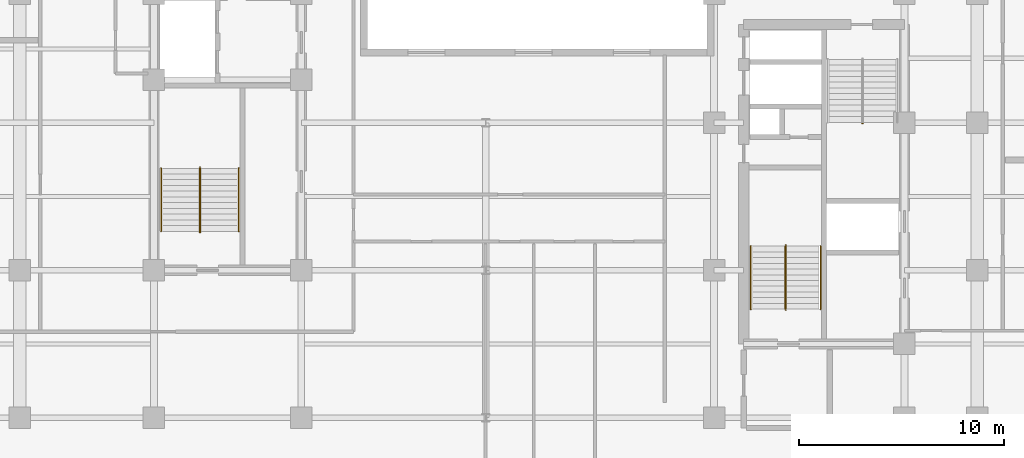
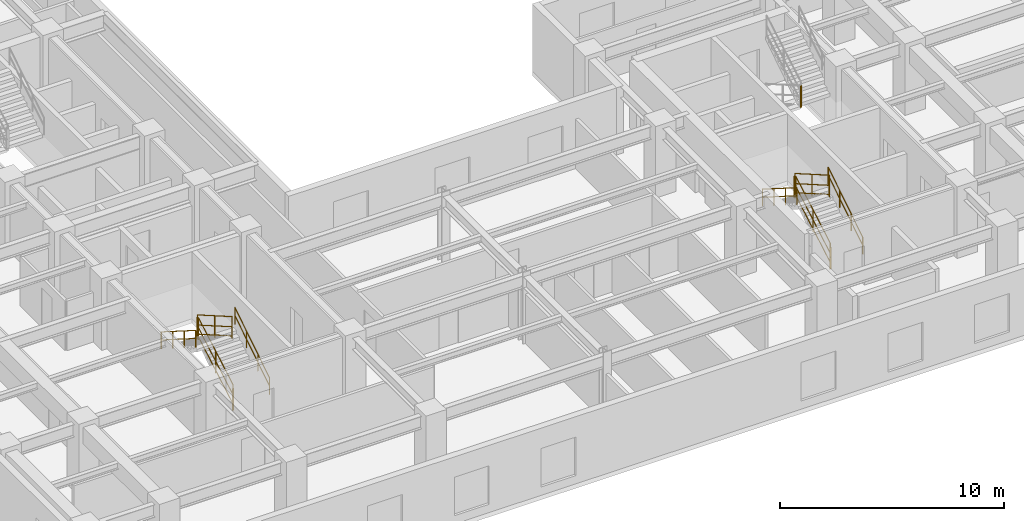
# One storey, part 7 of 9: 13 railings.
"""IFC4 building model written with IfcOpenShell, lengths in metres."""

import ifcopenshell
import ifcopenshell.guid

model = None  # the IFC model being written
_history = None  # IfcOwnerHistory: only IFC2X3 demands one
_inside = {}  # id of a spatial element -> (the spatial element, [elements in it])
_under = {}  # id of a project, library or spatial element -> (it, [spatial elements below it])
_declared = {}  # id of a project -> (the project, [libraries it declares])
_typed = {}  # id of a type object -> (the type object, [elements of that type])
_made_of = {}  # id of a material, layer set ... -> (it, [elements and type objects made of it])


def new_model(schema):
    """Start an empty IFC model of exactly this schema.

    Asked for "IFC4X3", IfcOpenShell would pick the latest addendum, in which some entities
    have other attributes; the version numbers below select the first issue.
    IFC2X3 requires an IfcOwnerHistory on every rooted entity: one is made here for all.
    """
    global model, _history
    if schema == "IFC4X3":
        model = ifcopenshell.file(schema_version=(4, 3, 0, 0))
    else:
        model = ifcopenshell.file(schema=schema)
    _inside.clear()
    _under.clear()
    _declared.clear()
    _typed.clear()
    _made_of.clear()
    _history = None
    if model.schema == "IFC2X3":
        org = make("IfcOrganization", Name="unknown")
        user = make(
            "IfcPersonAndOrganization",
            ThePerson=make("IfcPerson", FamilyName="unknown"),
            TheOrganization=org,
        )
        app = make(
            "IfcApplication",
            ApplicationDeveloper=org,
            Version="unknown",
            ApplicationFullName="unknown",
            ApplicationIdentifier="unknown",
        )
        _history = make(
            "IfcOwnerHistory",
            OwningUser=user,
            OwningApplication=app,
            ChangeAction="ADDED",
            CreationDate=0,
        )
    return model


def make(cls, **values):
    """One entity of the class cls with the attributes given. An attribute that is None is left unset."""
    return model.create_entity(
        cls, **{name: value for name, value in values.items() if value is not None}
    )


def entity(cls, *values):
    """Any entity or typed value of the class cls, its attributes in the order of the schema. None: left unset."""
    e = model.create_entity(cls)
    for i, value in enumerate(values):
        if value is not None:
            e[i] = value
    return e


def rooted(cls, **values):
    """An entity with a GlobalId (a new one), such as an element, a storey or a relation."""
    return make(cls, GlobalId=ifcopenshell.guid.new(), OwnerHistory=_history, **values)


def si_unit(unit_type, name, prefix=None):
    """IfcSIUnit, for example si_unit("LENGTHUNIT", "METRE", prefix="MILLI")."""
    return make("IfcSIUnit", UnitType=unit_type, Prefix=prefix, Name=name)


def converted_unit(unit_type, name, factor, base, dimensions=None, offset=None):
    """IfcConversionBasedUnit, such as the inch: factor (a typed value) times the base unit."""
    return make(
        "IfcConversionBasedUnit"
        if offset is None
        else "IfcConversionBasedUnitWithOffset",
        ConversionOffset=offset,
        Dimensions=None
        if dimensions is None
        else entity("IfcDimensionalExponents", *dimensions),
        UnitType=unit_type,
        Name=name,
        ConversionFactor=make(
            "IfcMeasureWithUnit", ValueComponent=factor, UnitComponent=base
        ),
    )


def assignment(units):
    """IfcUnitAssignment: the units of a project."""
    return None if units is None else make("IfcUnitAssignment", Units=units)


def point(xyz):
    """IfcCartesianPoint."""
    return None if xyz is None else make("IfcCartesianPoint", Coordinates=xyz)


def direction(xyz):
    """IfcDirection."""
    return None if xyz is None else make("IfcDirection", DirectionRatios=xyz)


def frame(location, z_axis=None, x_axis=None):
    """IfcAxis2Placement3D, a coordinate frame: its origin and axes. An axis left out is left unset."""
    return make(
        "IfcAxis2Placement3D",
        Location=point(location),
        Axis=direction(z_axis),
        RefDirection=direction(x_axis),
    )


def frame_2d(location, x_axis=None):
    """IfcAxis2Placement2D, a coordinate frame in the plane: its origin and x axis."""
    return make(
        "IfcAxis2Placement2D", Location=point(location), RefDirection=direction(x_axis)
    )


def origin_with_axes():
    """The frame at (0, 0, 0) with the z axis (0, 0, 1) and the x axis (1, 0, 0) written out."""
    return frame((0.0, 0.0, 0.0), z_axis=(0.0, 0.0, 1.0), x_axis=(1.0, 0.0, 0.0))


def origin_2d_with_axis():
    """The frame at (0, 0) in the plane with the x axis (1, 0) written out."""
    return frame_2d((0.0, 0.0), x_axis=(1.0, 0.0))


def place(relative_to, where):
    """IfcLocalPlacement: puts the frame where relative to a parent placement (None: the world)."""
    return make(
        "IfcLocalPlacement", PlacementRelTo=relative_to, RelativePlacement=where
    )


def context(
    kind, dimensions, precision=None, world=None, true_north=None, identifier=None
):
    """IfcGeometricRepresentationContext, for example the 3D "Model" context."""
    return make(
        "IfcGeometricRepresentationContext",
        ContextIdentifier=identifier,
        ContextType=kind,
        CoordinateSpaceDimension=dimensions,
        Precision=precision,
        WorldCoordinateSystem=world,
        TrueNorth=true_north,
    )


def subcontext(parent, identifier, kind, view, scale=None):
    """IfcGeometricRepresentationSubContext, for example "Body" below "Model"."""
    return make(
        "IfcGeometricRepresentationSubContext",
        ContextIdentifier=identifier,
        ContextType=kind,
        ParentContext=parent,
        TargetScale=scale,
        TargetView=view,
    )


def project(units=None, contexts=None):
    """IfcProject with its units and contexts."""
    return rooted(
        "IfcProject",
        Name="project",
        RepresentationContexts=contexts,
        UnitsInContext=assignment(units),
    )


def spatial(cls, under=None, at=None, **own):
    """A site, building, storey or space (cls), placed at a placement, below another one or the project."""
    s = rooted(cls, ObjectPlacement=at, **own)
    if under is not None:
        _under.setdefault(under.id(), (under, []))[1].append(s)
    return s


def profile(cls, at=None, kind="AREA", **sizes):
    """A parametric profile (cls). Its sizes go by their IFC names, for example OverallWidth=200.0."""
    return make(cls, ProfileType=kind, Position=at, **sizes)


def rectangle(**sizes):
    """IfcRectangleProfileDef."""
    return profile("IfcRectangleProfileDef", **sizes)


def circle(**sizes):
    """IfcCircleProfileDef."""
    return profile("IfcCircleProfileDef", **sizes)


def extrude(swept, where, along, depth):
    """IfcExtrudedAreaSolid: the profile swept, set in the frame where, extruded along a direction by depth."""
    return make(
        "IfcExtrudedAreaSolid",
        SweptArea=swept,
        Position=where,
        ExtrudedDirection=direction(along),
        Depth=depth,
    )


def shape(context_of_items, identifier, shape_type, items):
    """IfcShapeRepresentation: the items that make up one representation, for example the "Body"."""
    return make(
        "IfcShapeRepresentation",
        ContextOfItems=context_of_items,
        RepresentationIdentifier=identifier,
        RepresentationType=shape_type,
        Items=items,
    )


def material(Name=None, Category=None):
    """IfcMaterial."""
    return make("IfcMaterial", Name=Name, Category=Category)


def made_of(thing, what):
    """Note that an element or type object is made of a material, layer set ...; save() writes the relation."""
    if what is not None:
        _made_of.setdefault(what.id(), (what, []))[1].append(thing)
    return thing


def type_object(cls, material=None, **own):
    """A type object (cls), such as IfcWallType, which elements share."""
    return made_of(rooted(cls, **own), material)


def element(
    cls,
    number,
    at=None,
    inside=None,
    cuts=None,
    type_object=None,
    material=None,
    context=None,
    identifier="Body",
    shape_type=None,
    held_by="IfcProductDefinitionShape",
    body=None,
    shapes=None,
    **own,
):
    """One element of the class cls, such as IfcWall. Its Tag is "e" and its number.

    at: its placement. inside: the storey or other place that contains it. cuts: it is an
    opening in that element (IfcRelVoidsElement). A single representation is given by context,
    identifier, shape_type and body (its items); several are given by shapes. held_by: the class
    of the entity that holds the representations. save() writes the other relations.
    """
    e = rooted(cls, Tag="e%d" % number, ObjectPlacement=at, **own)
    if body is not None:
        shapes = [shape(context, identifier, shape_type, body)]
    if shapes is not None:
        e.Representation = make(held_by, Representations=shapes)
    if inside is not None:
        _inside.setdefault(inside.id(), (inside, []))[1].append(e)
    if cuts is not None:
        rooted(
            "IfcRelVoidsElement", RelatingBuildingElement=cuts, RelatedOpeningElement=e
        )
    if type_object is not None:
        _typed.setdefault(type_object.id(), (type_object, []))[1].append(e)
    return made_of(e, material)


def aggregate(whole, parts):
    """IfcRelAggregates: a whole, such as a stair, and the parts it consists of."""
    return rooted("IfcRelAggregates", RelatingObject=whole, RelatedObjects=parts)


def save(model, path):
    """Write the relations noted so far, then the file.

    IfcRelAggregates (storeys below a building ...), IfcRelContainedInSpatialStructure (elements
    in a storey), IfcRelDefinesByType, IfcRelAssociatesMaterial and IfcRelDeclares: one each for
    every whole, place, type object, material and project.
    """
    for whole, parts in _under.values():
        aggregate(whole, parts)
    for where, things in _inside.values():
        rooted(
            "IfcRelContainedInSpatialStructure",
            RelatedElements=things,
            RelatingStructure=where,
        )
    for kind, things in _typed.values():
        rooted("IfcRelDefinesByType", RelatedObjects=things, RelatingType=kind)
    for what, things in _made_of.values():
        rooted("IfcRelAssociatesMaterial", RelatedObjects=things, RelatingMaterial=what)
    for by, libraries in _declared.values():
        rooted("IfcRelDeclares", RelatingContext=by, RelatedDefinitions=libraries)
    model.write(path)


model = new_model("IFC4")

# Units and contexts
model_context = context("Model", 3, precision=1e-05, world=origin_with_axes(), true_north=direction((0.0, 1.0)))
body_context = subcontext(model_context, "Body", "Model", "MODEL_VIEW")
ifc_project = project(units=[si_unit("LENGTHUNIT", "METRE"), si_unit("AREAUNIT", "SQUARE_METRE"), si_unit("VOLUMEUNIT", "CUBIC_METRE"), converted_unit("PLANEANGLEUNIT", "DEGREE", entity("IfcPlaneAngleMeasure", 0.017453292519943295), si_unit("PLANEANGLEUNIT", "RADIAN"), dimensions=[0, 0, 0, 0, 0, 0, 0]), si_unit("MASSUNIT", "GRAM", prefix="KILO"), si_unit("THERMODYNAMICTEMPERATUREUNIT", "KELVIN")], contexts=[model_context])

# Site, building, storey
site_placement = place(None, origin_with_axes())
site = spatial("IfcSite", under=ifc_project, at=site_placement, CompositionType="ELEMENT")
building_placement = place(site_placement, origin_with_axes())
building = spatial("IfcBuilding", under=site, at=building_placement, Name="Varnlund Millrace Tower", CompositionType="ELEMENT")
storey_placement = place(building_placement, frame((0.0, 0.0, 136.8), z_axis=(0.0, 0.0, 1.0), x_axis=(1.0, 0.0, 0.0)))
storey = spatial("IfcBuildingStorey", under=building, at=storey_placement, Name="L33", CompositionType="ELEMENT", Elevation=136.8)

# Railings
ifc_material_1 = material(Name="Painted steel stair well balustrade guard", Category="steel")
railing_type_1 = type_object("IfcRailingType", Name="Type-StairGuard-1150", PredefinedType="GUARDRAIL", material=ifc_material_1)
railing_1_placement = place(storey_placement, frame((0.0, 0.0, -136.8), z_axis=(0.0, 0.0, 1.0), x_axis=(1.0, 0.0, 0.0)))
element("IfcRailing", 1, at=railing_1_placement, inside=storey, type_object=railing_type_1, Name="Type-StairGuard-1150", PredefinedType="GUARDRAIL", context=body_context, shape_type="SweptSolid", body=[
    extrude(circle(Radius=0.024, at=origin_2d_with_axis()), frame((13.675, 12.7, 138.127273), z_axis=(0.0, 0.866696, 0.498836), x_axis=(-1.0, 0.0, 0.0)), (0.0, 0.0, 1.0), 3.553725),
    extrude(circle(Radius=0.024, at=origin_2d_with_axis()), frame((13.675, 12.7, 137.077273), z_axis=(0.0, 0.866696, 0.498836), x_axis=(-1.0, 0.0, 0.0)), (0.0, 0.0, 1.0), 3.553725),
    extrude(circle(Radius=0.024, at=origin_2d_with_axis()), frame((13.675, 12.7, 137.575273), z_axis=(0.0, 0.866696, 0.498836), x_axis=(-1.0, 0.0, 0.0)), (0.0, 0.0, 1.0), 3.553725),
    extrude(rectangle(XDim=0.04, YDim=0.04, at=origin_2d_with_axis()), frame((13.675, 12.7, 136.937273), z_axis=(0.0, 0.0, 1.0), x_axis=(1.0, 0.0, 0.0)), (0.0, 0.0, 1.0), 1.19),
    extrude(rectangle(XDim=0.04, YDim=0.04, at=origin_2d_with_axis()), frame((13.675, 14.24, 137.823636), z_axis=(0.0, 0.0, 1.0), x_axis=(1.0, 0.0, 0.0)), (0.0, 0.0, 1.0), 1.19),
    extrude(rectangle(XDim=0.04, YDim=0.04, at=origin_2d_with_axis()), frame((13.675, 15.78, 138.71), z_axis=(0.0, 0.0, 1.0), x_axis=(1.0, 0.0, 0.0)), (0.0, 0.0, 1.0), 1.19),
])
railing_2_placement = place(storey_placement, frame((0.0, 0.0, -136.8), z_axis=(0.0, 0.0, 1.0), x_axis=(1.0, 0.0, 0.0)))
element("IfcRailing", 2, at=railing_2_placement, inside=storey, type_object=railing_type_1, Name="Type-StairGuard-1150", PredefinedType="GUARDRAIL", context=body_context, shape_type="SweptSolid", body=[
    extrude(circle(Radius=0.024, at=origin_2d_with_axis()), frame((13.625, 15.83, 139.9), z_axis=(1.0, 0.0, 0.0), x_axis=(0.0, 1.0, 0.0)), (0.0, 0.0, 1.0), 0.05),
    extrude(circle(Radius=0.024, at=origin_2d_with_axis()), frame((13.625, 15.83, 138.85), z_axis=(1.0, 0.0, 0.0), x_axis=(0.0, 1.0, 0.0)), (0.0, 0.0, 1.0), 0.05),
    extrude(circle(Radius=0.024, at=origin_2d_with_axis()), frame((13.625, 15.83, 139.348), z_axis=(1.0, 0.0, 0.0), x_axis=(0.0, 1.0, 0.0)), (0.0, 0.0, 1.0), 0.05),
    extrude(rectangle(XDim=0.04, YDim=0.04, at=origin_2d_with_axis()), frame((13.625, 15.83, 138.71), z_axis=(0.0, 0.0, 1.0), x_axis=(1.0, 0.0, 0.0)), (0.0, 0.0, 1.0), 1.19),
    extrude(rectangle(XDim=0.04, YDim=0.04, at=origin_2d_with_axis()), frame((13.675, 15.83, 138.71), z_axis=(0.0, 0.0, 1.0), x_axis=(1.0, 0.0, 0.0)), (0.0, 0.0, 1.0), 1.19),
])
railing_3_placement = place(storey_placement, frame((0.0, 0.0, -136.8), z_axis=(0.0, 0.0, 1.0), x_axis=(1.0, 0.0, 0.0)))
element("IfcRailing", 3, at=railing_3_placement, inside=storey, type_object=railing_type_1, Name="Type-StairGuard-1150", PredefinedType="GUARDRAIL", context=body_context, shape_type="SweptSolid", body=[
    extrude(circle(Radius=0.024, at=origin_2d_with_axis()), frame((13.625, 15.78, 140.077273), z_axis=(0.0, -0.866696, 0.498836), x_axis=(1.0, 0.0, 0.0)), (0.0, 0.0, 1.0), 3.553725),
    extrude(circle(Radius=0.024, at=origin_2d_with_axis()), frame((13.625, 15.78, 139.027273), z_axis=(0.0, -0.866696, 0.498836), x_axis=(1.0, 0.0, 0.0)), (0.0, 0.0, 1.0), 3.553725),
    extrude(circle(Radius=0.024, at=origin_2d_with_axis()), frame((13.625, 15.78, 139.525273), z_axis=(0.0, -0.866696, 0.498836), x_axis=(1.0, 0.0, 0.0)), (0.0, 0.0, 1.0), 3.553725),
    extrude(rectangle(XDim=0.04, YDim=0.04, at=origin_2d_with_axis()), frame((13.625, 15.78, 138.887273), z_axis=(0.0, 0.0, 1.0), x_axis=(1.0, 0.0, 0.0)), (0.0, 0.0, 1.0), 1.19),
    extrude(rectangle(XDim=0.04, YDim=0.04, at=origin_2d_with_axis()), frame((13.625, 14.24, 139.773637), z_axis=(0.0, 0.0, 1.0), x_axis=(1.0, 0.0, 0.0)), (0.0, 0.0, 1.0), 1.19),
    extrude(rectangle(XDim=0.04, YDim=0.04, at=origin_2d_with_axis()), frame((13.625, 12.7, 140.66), z_axis=(0.0, 0.0, 1.0), x_axis=(1.0, 0.0, 0.0)), (0.0, 0.0, 1.0), 1.19),
])
railing_4_placement = place(storey_placement, frame((0.0, 0.0, -136.8), z_axis=(0.0, 0.0, 1.0), x_axis=(1.0, 0.0, 0.0)))
element("IfcRailing", 4, at=railing_4_placement, inside=storey, type_object=railing_type_1, Name="Type-StairGuard-1150", PredefinedType="GUARDRAIL", context=body_context, shape_type="SweptSolid", body=[
    extrude(circle(Radius=0.024, at=origin_2d_with_axis()), frame((13.625, 12.65, 137.95), z_axis=(1.0, 0.0, 0.0), x_axis=(0.0, 1.0, 0.0)), (0.0, 0.0, 1.0), 0.05),
    extrude(circle(Radius=0.024, at=origin_2d_with_axis()), frame((13.625, 12.65, 136.9), z_axis=(1.0, 0.0, 0.0), x_axis=(0.0, 1.0, 0.0)), (0.0, 0.0, 1.0), 0.05),
    extrude(circle(Radius=0.024, at=origin_2d_with_axis()), frame((13.625, 12.65, 137.398), z_axis=(1.0, 0.0, 0.0), x_axis=(0.0, 1.0, 0.0)), (0.0, 0.0, 1.0), 0.05),
    extrude(rectangle(XDim=0.04, YDim=0.04, at=origin_2d_with_axis()), frame((13.625, 12.65, 136.76), z_axis=(0.0, 0.0, 1.0), x_axis=(1.0, 0.0, 0.0)), (0.0, 0.0, 1.0), 1.19),
    extrude(rectangle(XDim=0.04, YDim=0.04, at=origin_2d_with_axis()), frame((13.675, 12.65, 136.76), z_axis=(0.0, 0.0, 1.0), x_axis=(1.0, 0.0, 0.0)), (0.0, 0.0, 1.0), 1.19),
])
railing_5_placement = place(storey_placement, frame((0.0, 0.0, -136.8), z_axis=(0.0, 0.0, 1.0), x_axis=(1.0, 0.0, 0.0)))
element("IfcRailing", 5, at=railing_5_placement, inside=storey, type_object=railing_type_1, Name="Type-StairGuard-1150", PredefinedType="GUARDRAIL", context=body_context, shape_type="SweptSolid", body=[
    extrude(circle(Radius=0.024, at=origin_2d_with_axis()), frame((42.275, 8.9, 138.127273), z_axis=(0.0, 0.866696, 0.498836), x_axis=(-1.0, 0.0, 0.0)), (0.0, 0.0, 1.0), 3.553725),
    extrude(circle(Radius=0.024, at=origin_2d_with_axis()), frame((42.275, 8.9, 137.077273), z_axis=(0.0, 0.866696, 0.498836), x_axis=(-1.0, 0.0, 0.0)), (0.0, 0.0, 1.0), 3.553725),
    extrude(circle(Radius=0.024, at=origin_2d_with_axis()), frame((42.275, 8.9, 137.575273), z_axis=(0.0, 0.866696, 0.498836), x_axis=(-1.0, 0.0, 0.0)), (0.0, 0.0, 1.0), 3.553725),
    extrude(rectangle(XDim=0.04, YDim=0.04, at=origin_2d_with_axis()), frame((42.275, 8.9, 136.937273), z_axis=(0.0, 0.0, 1.0), x_axis=(1.0, 0.0, 0.0)), (0.0, 0.0, 1.0), 1.19),
    extrude(rectangle(XDim=0.04, YDim=0.04, at=origin_2d_with_axis()), frame((42.275, 10.44, 137.823636), z_axis=(0.0, 0.0, 1.0), x_axis=(1.0, 0.0, 0.0)), (0.0, 0.0, 1.0), 1.19),
    extrude(rectangle(XDim=0.04, YDim=0.04, at=origin_2d_with_axis()), frame((42.275, 11.98, 138.71), z_axis=(0.0, 0.0, 1.0), x_axis=(1.0, 0.0, 0.0)), (0.0, 0.0, 1.0), 1.19),
])
railing_6_placement = place(storey_placement, frame((0.0, 0.0, -136.8), z_axis=(0.0, 0.0, 1.0), x_axis=(1.0, 0.0, 0.0)))
element("IfcRailing", 6, at=railing_6_placement, inside=storey, type_object=railing_type_1, Name="Type-StairGuard-1150", PredefinedType="GUARDRAIL", context=body_context, shape_type="SweptSolid", body=[
    extrude(circle(Radius=0.024, at=origin_2d_with_axis()), frame((42.225, 12.03, 139.9), z_axis=(1.0, 0.0, 0.0), x_axis=(0.0, 1.0, 0.0)), (0.0, 0.0, 1.0), 0.05),
    extrude(circle(Radius=0.024, at=origin_2d_with_axis()), frame((42.225, 12.03, 138.85), z_axis=(1.0, 0.0, 0.0), x_axis=(0.0, 1.0, 0.0)), (0.0, 0.0, 1.0), 0.05),
    extrude(circle(Radius=0.024, at=origin_2d_with_axis()), frame((42.225, 12.03, 139.348), z_axis=(1.0, 0.0, 0.0), x_axis=(0.0, 1.0, 0.0)), (0.0, 0.0, 1.0), 0.05),
    extrude(rectangle(XDim=0.04, YDim=0.04, at=origin_2d_with_axis()), frame((42.225, 12.03, 138.71), z_axis=(0.0, 0.0, 1.0), x_axis=(1.0, 0.0, 0.0)), (0.0, 0.0, 1.0), 1.19),
    extrude(rectangle(XDim=0.04, YDim=0.04, at=origin_2d_with_axis()), frame((42.275, 12.03, 138.71), z_axis=(0.0, 0.0, 1.0), x_axis=(1.0, 0.0, 0.0)), (0.0, 0.0, 1.0), 1.19),
])
railing_7_placement = place(storey_placement, frame((0.0, 0.0, -136.8), z_axis=(0.0, 0.0, 1.0), x_axis=(1.0, 0.0, 0.0)))
element("IfcRailing", 7, at=railing_7_placement, inside=storey, type_object=railing_type_1, Name="Type-StairGuard-1150", PredefinedType="GUARDRAIL", context=body_context, shape_type="SweptSolid", body=[
    extrude(circle(Radius=0.024, at=origin_2d_with_axis()), frame((42.225, 11.98, 140.077273), z_axis=(0.0, -0.866696, 0.498836), x_axis=(1.0, 0.0, 0.0)), (0.0, 0.0, 1.0), 3.553725),
    extrude(circle(Radius=0.024, at=origin_2d_with_axis()), frame((42.225, 11.98, 139.027273), z_axis=(0.0, -0.866696, 0.498836), x_axis=(1.0, 0.0, 0.0)), (0.0, 0.0, 1.0), 3.553725),
    extrude(circle(Radius=0.024, at=origin_2d_with_axis()), frame((42.225, 11.98, 139.525273), z_axis=(0.0, -0.866696, 0.498836), x_axis=(1.0, 0.0, 0.0)), (0.0, 0.0, 1.0), 3.553725),
    extrude(rectangle(XDim=0.04, YDim=0.04, at=origin_2d_with_axis()), frame((42.225, 11.98, 138.887273), z_axis=(0.0, 0.0, 1.0), x_axis=(1.0, 0.0, 0.0)), (0.0, 0.0, 1.0), 1.19),
    extrude(rectangle(XDim=0.04, YDim=0.04, at=origin_2d_with_axis()), frame((42.225, 10.44, 139.773637), z_axis=(0.0, 0.0, 1.0), x_axis=(1.0, 0.0, 0.0)), (0.0, 0.0, 1.0), 1.19),
    extrude(rectangle(XDim=0.04, YDim=0.04, at=origin_2d_with_axis()), frame((42.225, 8.9, 140.66), z_axis=(0.0, 0.0, 1.0), x_axis=(1.0, 0.0, 0.0)), (0.0, 0.0, 1.0), 1.19),
])
railing_8_placement = place(storey_placement, frame((0.0, 0.0, -136.8), z_axis=(0.0, 0.0, 1.0), x_axis=(1.0, 0.0, 0.0)))
element("IfcRailing", 8, at=railing_8_placement, inside=storey, type_object=railing_type_1, Name="Type-StairGuard-1150", PredefinedType="GUARDRAIL", context=body_context, shape_type="SweptSolid", body=[
    extrude(circle(Radius=0.024, at=origin_2d_with_axis()), frame((42.225, 8.85, 137.95), z_axis=(1.0, 0.0, 0.0), x_axis=(0.0, 1.0, 0.0)), (0.0, 0.0, 1.0), 0.05),
    extrude(circle(Radius=0.024, at=origin_2d_with_axis()), frame((42.225, 8.85, 136.9), z_axis=(1.0, 0.0, 0.0), x_axis=(0.0, 1.0, 0.0)), (0.0, 0.0, 1.0), 0.05),
    extrude(circle(Radius=0.024, at=origin_2d_with_axis()), frame((42.225, 8.85, 137.398), z_axis=(1.0, 0.0, 0.0), x_axis=(0.0, 1.0, 0.0)), (0.0, 0.0, 1.0), 0.05),
    extrude(rectangle(XDim=0.04, YDim=0.04, at=origin_2d_with_axis()), frame((42.225, 8.85, 136.76), z_axis=(0.0, 0.0, 1.0), x_axis=(1.0, 0.0, 0.0)), (0.0, 0.0, 1.0), 1.19),
    extrude(rectangle(XDim=0.04, YDim=0.04, at=origin_2d_with_axis()), frame((42.275, 8.85, 136.76), z_axis=(0.0, 0.0, 1.0), x_axis=(1.0, 0.0, 0.0)), (0.0, 0.0, 1.0), 1.19),
])
railing_9_placement = place(storey_placement, frame((0.0, 0.0, -136.8), z_axis=(0.0, 0.0, 1.0), x_axis=(1.0, 0.0, 0.0)))
element("IfcRailing", 9, at=railing_9_placement, inside=storey, type_object=railing_type_1, Name="Type-StairGuard-1150", PredefinedType="GUARDRAIL", context=body_context, shape_type="SweptSolid", body=[
    extrude(circle(Radius=0.024, at=origin_2d_with_axis()), frame((46.025, 17.97, 139.9), z_axis=(-1.0, 0.0, 0.0), x_axis=(0.0, -1.0, 0.0)), (0.0, 0.0, 1.0), 0.05),
    extrude(circle(Radius=0.024, at=origin_2d_with_axis()), frame((46.025, 17.97, 138.85), z_axis=(-1.0, 0.0, 0.0), x_axis=(0.0, -1.0, 0.0)), (0.0, 0.0, 1.0), 0.05),
    extrude(circle(Radius=0.024, at=origin_2d_with_axis()), frame((46.025, 17.97, 139.348), z_axis=(-1.0, 0.0, 0.0), x_axis=(0.0, -1.0, 0.0)), (0.0, 0.0, 1.0), 0.05),
    extrude(rectangle(XDim=0.04, YDim=0.04, at=origin_2d_with_axis()), frame((46.025, 17.97, 138.71), z_axis=(0.0, 0.0, 1.0), x_axis=(1.0, 0.0, 0.0)), (0.0, 0.0, 1.0), 1.19),
    extrude(rectangle(XDim=0.04, YDim=0.04, at=origin_2d_with_axis()), frame((45.975, 17.97, 138.71), z_axis=(0.0, 0.0, 1.0), x_axis=(1.0, 0.0, 0.0)), (0.0, 0.0, 1.0), 1.19),
])
ifc_material_2 = material(Name="Brushed architectural bronze stair handrail", Category="aluminium")
railing_type_2 = type_object("IfcRailingType", Name="Type-StairHandrail-900", PredefinedType="HANDRAIL", material=ifc_material_2)
railing_10_placement = place(storey_placement, frame((0.0, 0.0, -136.8), z_axis=(0.0, 0.0, 1.0), x_axis=(1.0, 0.0, 0.0)))
element("IfcRailing", 10, at=railing_10_placement, inside=storey, type_object=railing_type_2, Name="Type-StairHandrail-900", PredefinedType="HANDRAIL", context=body_context, shape_type="SweptSolid", body=[
    extrude(circle(Radius=0.024, at=origin_2d_with_axis()), frame((15.55, 12.7, 137.856995), z_axis=(0.0, 0.844902, 0.534922), x_axis=(-1.0, 0.0, 0.0)), (0.0, 0.0, 1.0), 3.645394),
    extrude(circle(Radius=0.024, at=origin_2d_with_axis()), frame((15.55, 12.7, 137.417134), z_axis=(0.0, 0.844902, 0.534922), x_axis=(-1.0, 0.0, 0.0)), (0.0, 0.0, 1.0), 3.645394),
    extrude(rectangle(XDim=0.04, YDim=0.04, at=origin_2d_with_axis()), frame((15.55, 12.7, 136.937273), z_axis=(0.0, 0.0, 1.0), x_axis=(1.0, 0.0, 0.0)), (0.0, 0.0, 1.0), 0.919722),
    extrude(rectangle(XDim=0.04, YDim=0.04, at=origin_2d_with_axis()), frame((15.55, 13.726667, 137.587273), z_axis=(0.0, 0.0, 1.0), x_axis=(1.0, 0.0, 0.0)), (0.0, 0.0, 1.0), 0.919722),
    extrude(rectangle(XDim=0.04, YDim=0.04, at=origin_2d_with_axis()), frame((15.55, 14.753333, 138.237273), z_axis=(0.0, 0.0, 1.0), x_axis=(1.0, 0.0, 0.0)), (0.0, 0.0, 1.0), 0.919722),
    extrude(rectangle(XDim=0.04, YDim=0.04, at=origin_2d_with_axis()), frame((15.55, 15.78, 138.887273), z_axis=(0.0, 0.0, 1.0), x_axis=(1.0, 0.0, 0.0)), (0.0, 0.0, 1.0), 0.919722),
])
railing_11_placement = place(storey_placement, frame((0.0, 0.0, -136.8), z_axis=(0.0, 0.0, 1.0), x_axis=(1.0, 0.0, 0.0)))
element("IfcRailing", 11, at=railing_11_placement, inside=storey, type_object=railing_type_2, Name="Type-StairHandrail-900", PredefinedType="HANDRAIL", context=body_context, shape_type="SweptSolid", body=[
    extrude(circle(Radius=0.024, at=origin_2d_with_axis()), frame((11.75, 15.78, 139.806995), z_axis=(0.0, -0.844902, 0.534922), x_axis=(1.0, 0.0, 0.0)), (0.0, 0.0, 1.0), 3.645394),
    extrude(circle(Radius=0.024, at=origin_2d_with_axis()), frame((11.75, 15.78, 139.367134), z_axis=(0.0, -0.844902, 0.534922), x_axis=(1.0, 0.0, 0.0)), (0.0, 0.0, 1.0), 3.645394),
    extrude(rectangle(XDim=0.04, YDim=0.04, at=origin_2d_with_axis()), frame((11.75, 15.78, 138.887273), z_axis=(0.0, 0.0, 1.0), x_axis=(1.0, 0.0, 0.0)), (0.0, 0.0, 1.0), 0.919722),
    extrude(rectangle(XDim=0.04, YDim=0.04, at=origin_2d_with_axis()), frame((11.75, 14.753333, 139.537273), z_axis=(0.0, 0.0, 1.0), x_axis=(1.0, 0.0, 0.0)), (0.0, 0.0, 1.0), 0.919722),
    extrude(rectangle(XDim=0.04, YDim=0.04, at=origin_2d_with_axis()), frame((11.75, 13.726667, 140.187273), z_axis=(0.0, 0.0, 1.0), x_axis=(1.0, 0.0, 0.0)), (0.0, 0.0, 1.0), 0.919722),
    extrude(rectangle(XDim=0.04, YDim=0.04, at=origin_2d_with_axis()), frame((11.75, 12.7, 140.837273), z_axis=(0.0, 0.0, 1.0), x_axis=(1.0, 0.0, 0.0)), (0.0, 0.0, 1.0), 0.919722),
])
railing_12_placement = place(storey_placement, frame((0.0, 0.0, -136.8), z_axis=(0.0, 0.0, 1.0), x_axis=(1.0, 0.0, 0.0)))
element("IfcRailing", 12, at=railing_12_placement, inside=storey, type_object=railing_type_2, Name="Type-StairHandrail-900", PredefinedType="HANDRAIL", context=body_context, shape_type="SweptSolid", body=[
    extrude(circle(Radius=0.024, at=origin_2d_with_axis()), frame((43.95, 8.9, 137.856995), z_axis=(0.0, 0.844902, 0.534922), x_axis=(-1.0, 0.0, 0.0)), (0.0, 0.0, 1.0), 3.645394),
    extrude(circle(Radius=0.024, at=origin_2d_with_axis()), frame((43.95, 8.9, 137.417134), z_axis=(0.0, 0.844902, 0.534922), x_axis=(-1.0, 0.0, 0.0)), (0.0, 0.0, 1.0), 3.645394),
    extrude(rectangle(XDim=0.04, YDim=0.04, at=origin_2d_with_axis()), frame((43.95, 8.9, 136.937273), z_axis=(0.0, 0.0, 1.0), x_axis=(1.0, 0.0, 0.0)), (0.0, 0.0, 1.0), 0.919722),
    extrude(rectangle(XDim=0.04, YDim=0.04, at=origin_2d_with_axis()), frame((43.95, 9.926667, 137.587273), z_axis=(0.0, 0.0, 1.0), x_axis=(1.0, 0.0, 0.0)), (0.0, 0.0, 1.0), 0.919722),
    extrude(rectangle(XDim=0.04, YDim=0.04, at=origin_2d_with_axis()), frame((43.95, 10.953333, 138.237273), z_axis=(0.0, 0.0, 1.0), x_axis=(1.0, 0.0, 0.0)), (0.0, 0.0, 1.0), 0.919722),
    extrude(rectangle(XDim=0.04, YDim=0.04, at=origin_2d_with_axis()), frame((43.95, 11.98, 138.887273), z_axis=(0.0, 0.0, 1.0), x_axis=(1.0, 0.0, 0.0)), (0.0, 0.0, 1.0), 0.919722),
])
railing_13_placement = place(storey_placement, frame((0.0, 0.0, -136.8), z_axis=(0.0, 0.0, 1.0), x_axis=(1.0, 0.0, 0.0)))
element("IfcRailing", 13, at=railing_13_placement, inside=storey, type_object=railing_type_2, Name="Type-StairHandrail-900", PredefinedType="HANDRAIL", context=body_context, shape_type="SweptSolid", body=[
    extrude(circle(Radius=0.024, at=origin_2d_with_axis()), frame((40.55, 11.98, 139.806995), z_axis=(0.0, -0.844902, 0.534922), x_axis=(1.0, 0.0, 0.0)), (0.0, 0.0, 1.0), 3.645394),
    extrude(circle(Radius=0.024, at=origin_2d_with_axis()), frame((40.55, 11.98, 139.367134), z_axis=(0.0, -0.844902, 0.534922), x_axis=(1.0, 0.0, 0.0)), (0.0, 0.0, 1.0), 3.645394),
    extrude(rectangle(XDim=0.04, YDim=0.04, at=origin_2d_with_axis()), frame((40.55, 11.98, 138.887273), z_axis=(0.0, 0.0, 1.0), x_axis=(1.0, 0.0, 0.0)), (0.0, 0.0, 1.0), 0.919722),
    extrude(rectangle(XDim=0.04, YDim=0.04, at=origin_2d_with_axis()), frame((40.55, 10.953333, 139.537273), z_axis=(0.0, 0.0, 1.0), x_axis=(1.0, 0.0, 0.0)), (0.0, 0.0, 1.0), 0.919722),
    extrude(rectangle(XDim=0.04, YDim=0.04, at=origin_2d_with_axis()), frame((40.55, 9.926667, 140.187273), z_axis=(0.0, 0.0, 1.0), x_axis=(1.0, 0.0, 0.0)), (0.0, 0.0, 1.0), 0.919722),
    extrude(rectangle(XDim=0.04, YDim=0.04, at=origin_2d_with_axis()), frame((40.55, 8.9, 140.837273), z_axis=(0.0, 0.0, 1.0), x_axis=(1.0, 0.0, 0.0)), (0.0, 0.0, 1.0), 0.919722),
])

save(model, "model.ifc")
